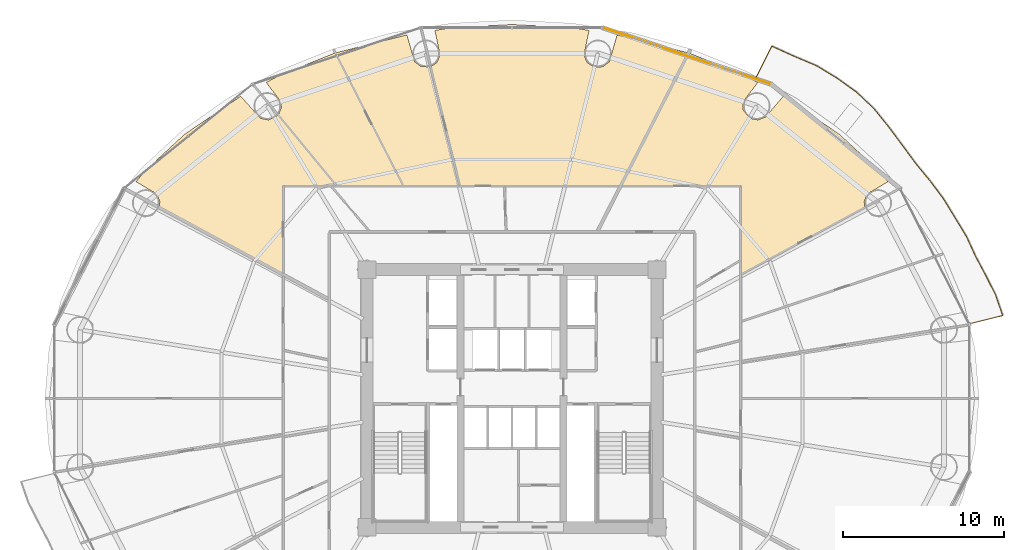
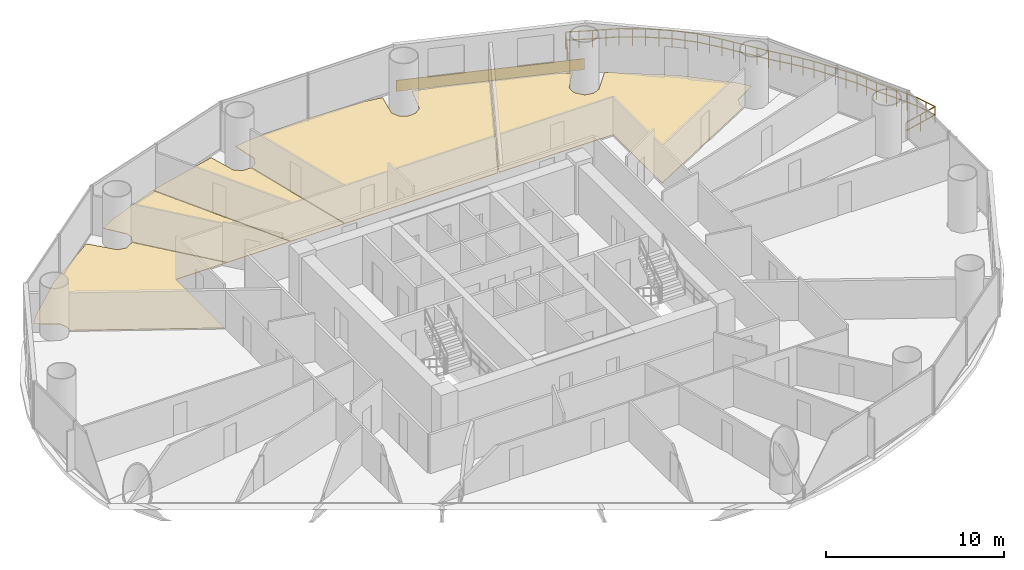
# One storey, part 29 of 29: 6 coverings, 1 railing.
"""IFC4 building model written with IfcOpenShell, lengths in metres."""

import ifcopenshell
import ifcopenshell.guid

model = None  # the IFC model being written
_history = None  # IfcOwnerHistory: only IFC2X3 demands one
_inside = {}  # id of a spatial element -> (the spatial element, [elements in it])
_under = {}  # id of a project, library or spatial element -> (it, [spatial elements below it])
_declared = {}  # id of a project -> (the project, [libraries it declares])
_typed = {}  # id of a type object -> (the type object, [elements of that type])
_made_of = {}  # id of a material, layer set ... -> (it, [elements and type objects made of it])


def new_model(schema):
    """Start an empty IFC model of exactly this schema.

    Asked for "IFC4X3", IfcOpenShell would pick the latest addendum, in which some entities
    have other attributes; the version numbers below select the first issue.
    IFC2X3 requires an IfcOwnerHistory on every rooted entity: one is made here for all.
    """
    global model, _history
    if schema == "IFC4X3":
        model = ifcopenshell.file(schema_version=(4, 3, 0, 0))
    else:
        model = ifcopenshell.file(schema=schema)
    _inside.clear()
    _under.clear()
    _declared.clear()
    _typed.clear()
    _made_of.clear()
    _history = None
    if model.schema == "IFC2X3":
        org = make("IfcOrganization", Name="unknown")
        user = make(
            "IfcPersonAndOrganization",
            ThePerson=make("IfcPerson", FamilyName="unknown"),
            TheOrganization=org,
        )
        app = make(
            "IfcApplication",
            ApplicationDeveloper=org,
            Version="unknown",
            ApplicationFullName="unknown",
            ApplicationIdentifier="unknown",
        )
        _history = make(
            "IfcOwnerHistory",
            OwningUser=user,
            OwningApplication=app,
            ChangeAction="ADDED",
            CreationDate=0,
        )
    return model


def make(cls, **values):
    """One entity of the class cls with the attributes given. An attribute that is None is left unset."""
    return model.create_entity(
        cls, **{name: value for name, value in values.items() if value is not None}
    )


def rooted(cls, **values):
    """An entity with a GlobalId (a new one), such as an element, a storey or a relation."""
    return make(cls, GlobalId=ifcopenshell.guid.new(), OwnerHistory=_history, **values)


def si_unit(unit_type, name, prefix=None):
    """IfcSIUnit, for example si_unit("LENGTHUNIT", "METRE", prefix="MILLI")."""
    return make("IfcSIUnit", UnitType=unit_type, Prefix=prefix, Name=name)


def assignment(units):
    """IfcUnitAssignment: the units of a project."""
    return None if units is None else make("IfcUnitAssignment", Units=units)


def point(xyz):
    """IfcCartesianPoint."""
    return None if xyz is None else make("IfcCartesianPoint", Coordinates=xyz)


def direction(xyz):
    """IfcDirection."""
    return None if xyz is None else make("IfcDirection", DirectionRatios=xyz)


def frame(location, z_axis=None, x_axis=None):
    """IfcAxis2Placement3D, a coordinate frame: its origin and axes. An axis left out is left unset."""
    return make(
        "IfcAxis2Placement3D",
        Location=point(location),
        Axis=direction(z_axis),
        RefDirection=direction(x_axis),
    )


def frame_2d(location, x_axis=None):
    """IfcAxis2Placement2D, a coordinate frame in the plane: its origin and x axis."""
    return make(
        "IfcAxis2Placement2D", Location=point(location), RefDirection=direction(x_axis)
    )


def origin():
    """The frame at (0, 0, 0) with its axes left unset."""
    return frame((0.0, 0.0, 0.0))


def origin_2d():
    """The frame at (0, 0) in the plane with its x axis left unset."""
    return frame_2d((0.0, 0.0))


def place(relative_to, where):
    """IfcLocalPlacement: puts the frame where relative to a parent placement (None: the world)."""
    return make(
        "IfcLocalPlacement", PlacementRelTo=relative_to, RelativePlacement=where
    )


def context(
    kind, dimensions, precision=None, world=None, true_north=None, identifier=None
):
    """IfcGeometricRepresentationContext, for example the 3D "Model" context."""
    return make(
        "IfcGeometricRepresentationContext",
        ContextIdentifier=identifier,
        ContextType=kind,
        CoordinateSpaceDimension=dimensions,
        Precision=precision,
        WorldCoordinateSystem=world,
        TrueNorth=true_north,
    )


def subcontext(parent, identifier, kind, view, scale=None):
    """IfcGeometricRepresentationSubContext, for example "Body" below "Model"."""
    return make(
        "IfcGeometricRepresentationSubContext",
        ContextIdentifier=identifier,
        ContextType=kind,
        ParentContext=parent,
        TargetScale=scale,
        TargetView=view,
    )


def project(units=None, contexts=None):
    """IfcProject with its units and contexts."""
    return rooted(
        "IfcProject",
        Name="project",
        RepresentationContexts=contexts,
        UnitsInContext=assignment(units),
    )


def spatial(cls, under=None, at=None, **own):
    """A site, building, storey or space (cls), placed at a placement, below another one or the project."""
    s = rooted(cls, ObjectPlacement=at, **own)
    if under is not None:
        _under.setdefault(under.id(), (under, []))[1].append(s)
    return s


def polyline(points):
    """IfcPolyline through the points."""
    return make("IfcPolyline", Points=[point(p) for p in points])


def profile(cls, at=None, kind="AREA", **sizes):
    """A parametric profile (cls). Its sizes go by their IFC names, for example OverallWidth=200.0."""
    return make(cls, ProfileType=kind, Position=at, **sizes)


def rectangle(**sizes):
    """IfcRectangleProfileDef."""
    return profile("IfcRectangleProfileDef", **sizes)


def outline(outer, holes=None, kind="AREA"):
    """IfcArbitraryClosedProfileDef: a profile drawn as a closed curve; with holes, ...WithVoids."""
    if holes is None:
        return make("IfcArbitraryClosedProfileDef", ProfileType=kind, OuterCurve=outer)
    return make(
        "IfcArbitraryProfileDefWithVoids",
        ProfileType=kind,
        OuterCurve=outer,
        InnerCurves=holes,
    )


def extrude(swept, where, along, depth):
    """IfcExtrudedAreaSolid: the profile swept, set in the frame where, extruded along a direction by depth."""
    return make(
        "IfcExtrudedAreaSolid",
        SweptArea=swept,
        Position=where,
        ExtrudedDirection=direction(along),
        Depth=depth,
    )


def shape(context_of_items, identifier, shape_type, items):
    """IfcShapeRepresentation: the items that make up one representation, for example the "Body"."""
    return make(
        "IfcShapeRepresentation",
        ContextOfItems=context_of_items,
        RepresentationIdentifier=identifier,
        RepresentationType=shape_type,
        Items=items,
    )


def source(mapping_origin, context_of_items, identifier, shape_type, items):
    """IfcRepresentationMap: a shape defined once, which mapped items show again and again."""
    return make(
        "IfcRepresentationMap",
        MappingOrigin=mapping_origin,
        MappedRepresentation=shape(context_of_items, identifier, shape_type, items),
    )


def transform(
    local_origin,
    x_axis=None,
    y_axis=None,
    z_axis=None,
    scale=None,
    scale2=None,
    scale3=None,
    uniform=True,
):
    """IfcCartesianTransformationOperator3D, or its non-uniform kind. x_axis, y_axis, z_axis: its Axis1, 2, 3."""
    if uniform:
        return make(
            "IfcCartesianTransformationOperator3D",
            Axis1=direction(x_axis),
            Axis2=direction(y_axis),
            LocalOrigin=point(local_origin),
            Scale=scale,
            Axis3=direction(z_axis),
        )
    return make(
        "IfcCartesianTransformationOperator3DnonUniform",
        Axis1=direction(x_axis),
        Axis2=direction(y_axis),
        LocalOrigin=point(local_origin),
        Scale=scale,
        Axis3=direction(z_axis),
        Scale2=scale2,
        Scale3=scale3,
    )


def mapped(mapping_source, mapping_target):
    """IfcMappedItem: shows the shape of a source again, moved by a transform."""
    return make(
        "IfcMappedItem", MappingSource=mapping_source, MappingTarget=mapping_target
    )


def material(Name=None, Category=None):
    """IfcMaterial."""
    return make("IfcMaterial", Name=Name, Category=Category)


def layer(
    of_material, thickness, ventilated=None, Name=None, Category=None, Priority=None
):
    """IfcMaterialLayer: one layer of a wall or slab, of a material (None: an air gap)."""
    return make(
        "IfcMaterialLayer",
        Material=of_material,
        LayerThickness=thickness,
        IsVentilated=ventilated,
        Name=Name,
        Category=Category,
        Priority=Priority,
    )


def layer_set(layers, Name=None):
    """IfcMaterialLayerSet."""
    return make("IfcMaterialLayerSet", MaterialLayers=layers, LayerSetName=Name)


def made_of(thing, what):
    """Note that an element or type object is made of a material, layer set ...; save() writes the relation."""
    if what is not None:
        _made_of.setdefault(what.id(), (what, []))[1].append(thing)
    return thing


def type_object(cls, material=None, **own):
    """A type object (cls), such as IfcWallType, which elements share."""
    return made_of(rooted(cls, **own), material)


def element(
    cls,
    number,
    at=None,
    inside=None,
    cuts=None,
    type_object=None,
    material=None,
    context=None,
    identifier="Body",
    shape_type=None,
    held_by="IfcProductDefinitionShape",
    body=None,
    shapes=None,
    **own,
):
    """One element of the class cls, such as IfcWall. Its Tag is "e" and its number.

    at: its placement. inside: the storey or other place that contains it. cuts: it is an
    opening in that element (IfcRelVoidsElement). A single representation is given by context,
    identifier, shape_type and body (its items); several are given by shapes. held_by: the class
    of the entity that holds the representations. save() writes the other relations.
    """
    e = rooted(cls, Tag="e%d" % number, ObjectPlacement=at, **own)
    if body is not None:
        shapes = [shape(context, identifier, shape_type, body)]
    if shapes is not None:
        e.Representation = make(held_by, Representations=shapes)
    if inside is not None:
        _inside.setdefault(inside.id(), (inside, []))[1].append(e)
    if cuts is not None:
        rooted(
            "IfcRelVoidsElement", RelatingBuildingElement=cuts, RelatedOpeningElement=e
        )
    if type_object is not None:
        _typed.setdefault(type_object.id(), (type_object, []))[1].append(e)
    return made_of(e, material)


def aggregate(whole, parts):
    """IfcRelAggregates: a whole, such as a stair, and the parts it consists of."""
    return rooted("IfcRelAggregates", RelatingObject=whole, RelatedObjects=parts)


def save(model, path):
    """Write the relations noted so far, then the file.

    IfcRelAggregates (storeys below a building ...), IfcRelContainedInSpatialStructure (elements
    in a storey), IfcRelDefinesByType, IfcRelAssociatesMaterial and IfcRelDeclares: one each for
    every whole, place, type object, material and project.
    """
    for whole, parts in _under.values():
        aggregate(whole, parts)
    for where, things in _inside.values():
        rooted(
            "IfcRelContainedInSpatialStructure",
            RelatedElements=things,
            RelatingStructure=where,
        )
    for kind, things in _typed.values():
        rooted("IfcRelDefinesByType", RelatedObjects=things, RelatingType=kind)
    for what, things in _made_of.values():
        rooted("IfcRelAssociatesMaterial", RelatedObjects=things, RelatingMaterial=what)
    for by, libraries in _declared.values():
        rooted("IfcRelDeclares", RelatingContext=by, RelatedDefinitions=libraries)
    model.write(path)


model = new_model("IFC4")

# Units and contexts
model_context = context("Model", 3, precision=1e-05, world=origin(), true_north=direction((-0.2419218956, 0.970295726276)))
body_context = subcontext(model_context, "Body", "Model", "MODEL_VIEW")
ifc_project = project(units=[si_unit("LENGTHUNIT", "METRE"), si_unit("AREAUNIT", "SQUARE_METRE"), si_unit("VOLUMEUNIT", "CUBIC_METRE"), si_unit("PLANEANGLEUNIT", "RADIAN"), si_unit("MASSUNIT", "GRAM", prefix="KILO")], contexts=[model_context])

# Site, building, storey
site_placement = place(None, origin())
site = spatial("IfcSite", under=ifc_project, at=site_placement, CompositionType="ELEMENT")
building_placement = place(site_placement, origin())
building = spatial("IfcBuilding", under=site, at=building_placement, Name="Cobrevalo Terracotta Tower", CompositionType="ELEMENT")
storey_placement = place(building_placement, frame((0.0, 0.0, 49.199951171875)))
storey = spatial("IfcBuildingStorey", under=building, at=storey_placement, Name="L12", CompositionType="ELEMENT", Elevation=49.199951171875)

# Railing
ifc_material_1 = material(Name="Laminated structural glass and stainless steel", Category="steel")
railing_type = type_object("IfcRailingType", Name="Balcony lobe structural glass & terracotta-cap balustrade 1180 mm", PredefinedType="BALUSTRADE", material=ifc_material_1)
railing_placement = place(storey_placement, frame((66.282470703125, 31.40380859375, 0.0)))
element("IfcRailing", 1, at=railing_placement, inside=storey, type_object=railing_type, Name="L12 spiralling balcony lobe balustrade 1", PredefinedType="BALUSTRADE", context=body_context, shape_type="SweptSolid", body=[
    extrude(rectangle(XDim=0.048095703125, YDim=0.048095703125, at=origin_2d()), frame((0.0, 0.0, 1.15576171875), z_axis=(0.970656645636, 0.240469699304, 0.0), x_axis=(-0.240469699304, 0.970656645636, 0.0)), (0.0, 0.0, 1.0), 2.2529296875),
    extrude(rectangle(XDim=0.048095703125, YDim=0.048095703125, at=origin_2d()), frame((0.0, 0.0, 0.58984375), z_axis=(0.970656645636, 0.240469699304, 0.0), x_axis=(-0.240469699304, 0.970656645636, 0.0)), (0.0, 0.0, 1.0), 2.2529296875),
    extrude(rectangle(XDim=0.048095703125, YDim=0.048095703125, at=origin_2d()), frame((2.186767578125, 0.541748046875, 1.15576171875), z_axis=(-0.326743713741, 0.9451129803, 0.0), x_axis=(-0.9451129803, -0.326743713741, 0.0)), (0.0, 0.0, 1.0), 1.3486328125),
    extrude(rectangle(XDim=0.048095703125, YDim=0.048095703125, at=origin_2d()), frame((2.186767578125, 0.541748046875, 0.58984375), z_axis=(-0.326743713741, 0.9451129803, 0.0), x_axis=(-0.9451129803, -0.326743713741, 0.0)), (0.0, 0.0, 1.0), 1.3486328125),
    extrude(rectangle(XDim=0.048095703125, YDim=0.048095703125, at=origin_2d()), frame((1.74609375, 1.81640625, 1.15576171875), z_axis=(-0.450009393164, 0.893023821667, 0.0), x_axis=(-0.893023821667, -0.450009393164, 0.0)), (0.0, 0.0, 1.0), 1.361083984375),
    extrude(rectangle(XDim=0.048095703125, YDim=0.048095703125, at=origin_2d()), frame((1.74609375, 1.81640625, 0.58984375), z_axis=(-0.450009393164, 0.893023821667, 0.0), x_axis=(-0.893023821667, -0.450009393164, 0.0)), (0.0, 0.0, 1.0), 1.361083984375),
    extrude(rectangle(XDim=0.048095703125, YDim=0.048095703125, at=origin_2d()), frame((1.133544921875, 3.031982421875, 1.15576171875), z_axis=(-0.47043842962, 0.882432821203, 0.0), x_axis=(-0.882432821203, -0.47043842962, 0.0)), (0.0, 0.0, 1.0), 1.353515625),
    extrude(rectangle(XDim=0.048095703125, YDim=0.048095703125, at=origin_2d()), frame((1.133544921875, 3.031982421875, 0.58984375), z_axis=(-0.47043842962, 0.882432821203, 0.0), x_axis=(-0.882432821203, -0.47043842962, 0.0)), (0.0, 0.0, 1.0), 1.353515625),
    extrude(rectangle(XDim=0.048095703125, YDim=0.048095703125, at=origin_2d()), frame((0.496826171875, 4.226318359375, 1.15576171875), z_axis=(-0.41757306652, 0.908643348139, 0.0), x_axis=(-0.908643348139, -0.41757306652, 0.0)), (0.0, 0.0, 1.0), 1.34521484375),
    extrude(rectangle(XDim=0.048095703125, YDim=0.048095703125, at=origin_2d()), frame((0.496826171875, 4.226318359375, 0.58984375), z_axis=(-0.41757306652, 0.908643348139, 0.0), x_axis=(-0.908643348139, -0.41757306652, 0.0)), (0.0, 0.0, 1.0), 1.34521484375),
    extrude(rectangle(XDim=0.048095703125, YDim=0.048095703125, at=origin_2d()), frame((-0.06494140625, 5.44873046875, 1.15576171875), z_axis=(-0.518008939835, 0.855375203201, 0.0), x_axis=(-0.855375203201, -0.518008939835, 0.0)), (0.0, 0.0, 1.0), 1.36767578125),
    extrude(rectangle(XDim=0.048095703125, YDim=0.048095703125, at=origin_2d()), frame((-0.06494140625, 5.44873046875, 0.58984375), z_axis=(-0.518008939835, 0.855375203201, 0.0), x_axis=(-0.855375203201, -0.518008939835, 0.0)), (0.0, 0.0, 1.0), 1.36767578125),
    extrude(rectangle(XDim=0.048095703125, YDim=0.048095703125, at=origin_2d()), frame((-0.7734375, 6.61865234375, 1.15576171875), z_axis=(-0.521891091627, 0.853012126808, 0.0), x_axis=(-0.853012126808, -0.521891091627, 0.0)), (0.0, 0.0, 1.0), 1.365478515625),
    extrude(rectangle(XDim=0.048095703125, YDim=0.048095703125, at=origin_2d()), frame((-0.7734375, 6.61865234375, 0.58984375), z_axis=(-0.521891091627, 0.853012126808, 0.0), x_axis=(-0.853012126808, -0.521891091627, 0.0)), (0.0, 0.0, 1.0), 1.365478515625),
    extrude(rectangle(XDim=0.048095703125, YDim=0.048095703125, at=origin_2d()), frame((-1.486083984375, 7.783447265625, 1.15576171875), z_axis=(-0.597539205314, 0.80183969602, 0.0), x_axis=(-0.80183969602, -0.597539205314, 0.0)), (0.0, 0.0, 1.0), 1.382568359375),
    extrude(rectangle(XDim=0.048095703125, YDim=0.048095703125, at=origin_2d()), frame((-1.486083984375, 7.783447265625, 0.58984375), z_axis=(-0.597539205314, 0.80183969602, 0.0), x_axis=(-0.80183969602, -0.597539205314, 0.0)), (0.0, 0.0, 1.0), 1.382568359375),
    extrude(rectangle(XDim=0.048095703125, YDim=0.048095703125, at=origin_2d()), frame((-2.312255859375, 8.89208984375, 1.15576171875), z_axis=(-0.636216311347, 0.771510729138, 0.0), x_axis=(-0.771510729138, -0.636216311347, 0.0)), (0.0, 0.0, 1.0), 1.394775390625),
    extrude(rectangle(XDim=0.048095703125, YDim=0.048095703125, at=origin_2d()), frame((-2.312255859375, 8.89208984375, 0.58984375), z_axis=(-0.636216311347, 0.771510729138, 0.0), x_axis=(-0.771510729138, -0.636216311347, 0.0)), (0.0, 0.0, 1.0), 1.394775390625),
    extrude(rectangle(XDim=0.048095703125, YDim=0.048095703125, at=origin_2d()), frame((-3.19970703125, 9.96826171875, 1.15576171875), z_axis=(-0.592463460956, 0.805597323377, 0.0), x_axis=(-0.805597323377, -0.592463460956, 0.0)), (0.0, 0.0, 1.0), 1.404296875),
    extrude(rectangle(XDim=0.048095703125, YDim=0.048095703125, at=origin_2d()), frame((-3.19970703125, 9.96826171875, 0.58984375), z_axis=(-0.592463460956, 0.805597323377, 0.0), x_axis=(-0.805597323377, -0.592463460956, 0.0)), (0.0, 0.0, 1.0), 1.404296875),
    extrude(rectangle(XDim=0.048095703125, YDim=0.048095703125, at=origin_2d()), frame((-4.03173828125, 11.099609375, 1.15576171875), z_axis=(-0.596772057795, 0.802410811888, 0.0), x_axis=(-0.802410811888, -0.596772057795, 0.0)), (0.0, 0.0, 1.0), 1.454345703125),
    extrude(rectangle(XDim=0.048095703125, YDim=0.048095703125, at=origin_2d()), frame((-4.03173828125, 11.099609375, 0.58984375), z_axis=(-0.596772057795, 0.802410811888, 0.0), x_axis=(-0.802410811888, -0.596772057795, 0.0)), (0.0, 0.0, 1.0), 1.454345703125),
    extrude(rectangle(XDim=0.048095703125, YDim=0.048095703125, at=origin_2d()), frame((-4.899658203125, 12.2666015625, 1.15576171875), z_axis=(-0.628561634058, 0.777759777946, 0.0), x_axis=(-0.777759777946, -0.628561634058, 0.0)), (0.0, 0.0, 1.0), 1.4677734375),
    extrude(rectangle(XDim=0.048095703125, YDim=0.048095703125, at=origin_2d()), frame((-4.899658203125, 12.2666015625, 0.58984375), z_axis=(-0.628561634058, 0.777759777946, 0.0), x_axis=(-0.777759777946, -0.628561634058, 0.0)), (0.0, 0.0, 1.0), 1.4677734375),
    extrude(rectangle(XDim=0.048095703125, YDim=0.048095703125, at=origin_2d()), frame((-5.822265625, 13.408203125, 1.15576171875), z_axis=(-0.727393652509, 0.686220426896, 0.0), x_axis=(-0.686220426896, -0.727393652509, 0.0)), (0.0, 0.0, 1.0), 1.4765625),
    extrude(rectangle(XDim=0.048095703125, YDim=0.048095703125, at=origin_2d()), frame((-5.822265625, 13.408203125, 0.58984375), z_axis=(-0.727393652509, 0.686220426896, 0.0), x_axis=(-0.686220426896, -0.727393652509, 0.0)), (0.0, 0.0, 1.0), 1.4765625),
    extrude(rectangle(XDim=0.048095703125, YDim=0.048095703125, at=origin_2d()), frame((-6.896240234375, 14.42138671875, 1.15576171875), z_axis=(-0.813157984021, 0.582043033651, 0.0), x_axis=(-0.582043033651, -0.813157984021, 0.0)), (0.0, 0.0, 1.0), 1.49169921875),
    extrude(rectangle(XDim=0.048095703125, YDim=0.048095703125, at=origin_2d()), frame((-6.896240234375, 14.42138671875, 0.58984375), z_axis=(-0.813157984021, 0.582043033651, 0.0), x_axis=(-0.582043033651, -0.813157984021, 0.0)), (0.0, 0.0, 1.0), 1.49169921875),
    extrude(rectangle(XDim=0.048095703125, YDim=0.048095703125, at=origin_2d()), frame((-8.109130859375, 15.28955078125, 1.15576171875), z_axis=(-0.854844744137, 0.518883863134, 0.0), x_axis=(-0.518883863134, -0.854844744137, 0.0)), (0.0, 0.0, 1.0), 1.48681640625),
    extrude(rectangle(XDim=0.048095703125, YDim=0.048095703125, at=origin_2d()), frame((-8.109130859375, 15.28955078125, 0.58984375), z_axis=(-0.854844744137, 0.518883863134, 0.0), x_axis=(-0.518883863134, -0.854844744137, 0.0)), (0.0, 0.0, 1.0), 1.48681640625),
    extrude(rectangle(XDim=0.048095703125, YDim=0.048095703125, at=origin_2d()), frame((-9.380126953125, 16.06103515625, 1.15576171875), z_axis=(-0.921683569002, 0.387942519753, 0.0), x_axis=(-0.387942519753, -0.921683569002, 0.0)), (0.0, 0.0, 1.0), 1.525390625),
    extrude(rectangle(XDim=0.048095703125, YDim=0.048095703125, at=origin_2d()), frame((-9.380126953125, 16.06103515625, 0.58984375), z_axis=(-0.921683569002, 0.387942519753, 0.0), x_axis=(-0.387942519753, -0.921683569002, 0.0)), (0.0, 0.0, 1.0), 1.525390625),
    extrude(rectangle(XDim=0.048095703125, YDim=0.048095703125, at=origin_2d()), frame((-10.7861328125, 16.65283203125, 1.15576171875), z_axis=(-0.910277705224, 0.413998187643, 0.0), x_axis=(-0.413998187643, -0.910277705224, 0.0)), (0.0, 0.0, 1.0), 1.50732421875),
    extrude(rectangle(XDim=0.048095703125, YDim=0.048095703125, at=origin_2d()), frame((-10.7861328125, 16.65283203125, 0.58984375), z_axis=(-0.910277705224, 0.413998187643, 0.0), x_axis=(-0.413998187643, -0.910277705224, 0.0)), (0.0, 0.0, 1.0), 1.50732421875),
    extrude(rectangle(XDim=0.048095703125, YDim=0.048095703125, at=origin_2d()), frame((-12.158203125, 17.27685546875, 1.15576171875), z_axis=(-0.4472135955, -0.894427191, 0.0), x_axis=(0.894427191, -0.4472135955, 0.0)), (0.0, 0.0, 1.0), 2.208251953125),
    extrude(rectangle(XDim=0.048095703125, YDim=0.048095703125, at=origin_2d()), frame((-12.158203125, 17.27685546875, 0.58984375), z_axis=(-0.4472135955, -0.894427191, 0.0), x_axis=(0.894427191, -0.4472135955, 0.0)), (0.0, 0.0, 1.0), 2.208251953125),
    extrude(rectangle(XDim=0.0419921875, YDim=0.0419921875, at=origin_2d()), origin(), (0.0, 0.0, 1.0), 1.1318359375),
    extrude(rectangle(XDim=0.0419921875, YDim=0.0419921875, at=origin_2d()), frame((1.09326171875, 0.27099609375, 0.0)), (0.0, 0.0, 1.0), 1.1318359375),
    extrude(rectangle(XDim=0.0419921875, YDim=0.0419921875, at=origin_2d()), frame((2.186767578125, 0.541748046875, 0.0)), (0.0, 0.0, 1.0), 1.1318359375),
    extrude(rectangle(XDim=0.0419921875, YDim=0.0419921875, at=origin_2d()), frame((1.96630859375, 1.17919921875, 0.0)), (0.0, 0.0, 1.0), 1.1318359375),
    extrude(rectangle(XDim=0.0419921875, YDim=0.0419921875, at=origin_2d()), frame((1.74609375, 1.81640625, 0.0)), (0.0, 0.0, 1.0), 1.1318359375),
    extrude(rectangle(XDim=0.0419921875, YDim=0.0419921875, at=origin_2d()), frame((1.43994140625, 2.42431640625, 0.0)), (0.0, 0.0, 1.0), 1.1318359375),
    extrude(rectangle(XDim=0.0419921875, YDim=0.0419921875, at=origin_2d()), frame((1.133544921875, 3.031982421875, 0.0)), (0.0, 0.0, 1.0), 1.1318359375),
    extrude(rectangle(XDim=0.0419921875, YDim=0.0419921875, at=origin_2d()), frame((0.815185546875, 3.629150390625, 0.0)), (0.0, 0.0, 1.0), 1.1318359375),
    extrude(rectangle(XDim=0.0419921875, YDim=0.0419921875, at=origin_2d()), frame((0.496826171875, 4.226318359375, 0.0)), (0.0, 0.0, 1.0), 1.1318359375),
    extrude(rectangle(XDim=0.0419921875, YDim=0.0419921875, at=origin_2d()), frame((0.2158203125, 4.83740234375, 0.0)), (0.0, 0.0, 1.0), 1.1318359375),
    extrude(rectangle(XDim=0.0419921875, YDim=0.0419921875, at=origin_2d()), frame((-0.06494140625, 5.44873046875, 0.0)), (0.0, 0.0, 1.0), 1.1318359375),
    extrude(rectangle(XDim=0.0419921875, YDim=0.0419921875, at=origin_2d()), frame((-0.419189453125, 6.03369140625, 0.0)), (0.0, 0.0, 1.0), 1.1318359375),
    extrude(rectangle(XDim=0.0419921875, YDim=0.0419921875, at=origin_2d()), frame((-0.7734375, 6.61865234375, 0.0)), (0.0, 0.0, 1.0), 1.1318359375),
    extrude(rectangle(XDim=0.0419921875, YDim=0.0419921875, at=origin_2d()), frame((-1.1298828125, 7.201171875, 0.0)), (0.0, 0.0, 1.0), 1.1318359375),
    extrude(rectangle(XDim=0.0419921875, YDim=0.0419921875, at=origin_2d()), frame((-1.486083984375, 7.783447265625, 0.0)), (0.0, 0.0, 1.0), 1.1318359375),
    extrude(rectangle(XDim=0.0419921875, YDim=0.0419921875, at=origin_2d()), frame((-1.899169921875, 8.337890625, 0.0)), (0.0, 0.0, 1.0), 1.1318359375),
    extrude(rectangle(XDim=0.0419921875, YDim=0.0419921875, at=origin_2d()), frame((-2.312255859375, 8.89208984375, 0.0)), (0.0, 0.0, 1.0), 1.1318359375),
    extrude(rectangle(XDim=0.0419921875, YDim=0.0419921875, at=origin_2d()), frame((-2.755859375, 9.43017578125, 0.0)), (0.0, 0.0, 1.0), 1.1318359375),
    extrude(rectangle(XDim=0.0419921875, YDim=0.0419921875, at=origin_2d()), frame((-3.19970703125, 9.96826171875, 0.0)), (0.0, 0.0, 1.0), 1.1318359375),
    extrude(rectangle(XDim=0.0419921875, YDim=0.0419921875, at=origin_2d()), frame((-3.61572265625, 10.533935546875, 0.0)), (0.0, 0.0, 1.0), 1.1318359375),
    extrude(rectangle(XDim=0.0419921875, YDim=0.0419921875, at=origin_2d()), frame((-4.03173828125, 11.099609375, 0.0)), (0.0, 0.0, 1.0), 1.1318359375),
    extrude(rectangle(XDim=0.0419921875, YDim=0.0419921875, at=origin_2d()), frame((-4.4658203125, 11.68310546875, 0.0)), (0.0, 0.0, 1.0), 1.1318359375),
    extrude(rectangle(XDim=0.0419921875, YDim=0.0419921875, at=origin_2d()), frame((-4.899658203125, 12.2666015625, 0.0)), (0.0, 0.0, 1.0), 1.1318359375),
    extrude(rectangle(XDim=0.0419921875, YDim=0.0419921875, at=origin_2d()), frame((-5.36083984375, 12.83740234375, 0.0)), (0.0, 0.0, 1.0), 1.1318359375),
    extrude(rectangle(XDim=0.0419921875, YDim=0.0419921875, at=origin_2d()), frame((-5.822265625, 13.408203125, 0.0)), (0.0, 0.0, 1.0), 1.1318359375),
    extrude(rectangle(XDim=0.0419921875, YDim=0.0419921875, at=origin_2d()), frame((-6.359375, 13.914794921875, 0.0)), (0.0, 0.0, 1.0), 1.1318359375),
    extrude(rectangle(XDim=0.0419921875, YDim=0.0419921875, at=origin_2d()), frame((-6.896240234375, 14.42138671875, 0.0)), (0.0, 0.0, 1.0), 1.1318359375),
    extrude(rectangle(XDim=0.0419921875, YDim=0.0419921875, at=origin_2d()), frame((-7.502685546875, 14.85546875, 0.0)), (0.0, 0.0, 1.0), 1.1318359375),
    extrude(rectangle(XDim=0.0419921875, YDim=0.0419921875, at=origin_2d()), frame((-8.109130859375, 15.28955078125, 0.0)), (0.0, 0.0, 1.0), 1.1318359375),
    extrude(rectangle(XDim=0.0419921875, YDim=0.0419921875, at=origin_2d()), frame((-8.74462890625, 15.67529296875, 0.0)), (0.0, 0.0, 1.0), 1.1318359375),
    extrude(rectangle(XDim=0.0419921875, YDim=0.0419921875, at=origin_2d()), frame((-9.380126953125, 16.06103515625, 0.0)), (0.0, 0.0, 1.0), 1.1318359375),
    extrude(rectangle(XDim=0.0419921875, YDim=0.0419921875, at=origin_2d()), frame((-10.0830078125, 16.35693359375, 0.0)), (0.0, 0.0, 1.0), 1.1318359375),
    extrude(rectangle(XDim=0.0419921875, YDim=0.0419921875, at=origin_2d()), frame((-10.7861328125, 16.65283203125, 0.0)), (0.0, 0.0, 1.0), 1.1318359375),
    extrude(rectangle(XDim=0.0419921875, YDim=0.0419921875, at=origin_2d()), frame((-11.47216796875, 16.96484375, 0.0)), (0.0, 0.0, 1.0), 1.1318359375),
    extrude(rectangle(XDim=0.0419921875, YDim=0.0419921875, at=origin_2d()), frame((-12.158203125, 17.27685546875, 0.0)), (0.0, 0.0, 1.0), 1.1318359375),
    extrude(rectangle(XDim=0.0419921875, YDim=0.0419921875, at=origin_2d()), frame((-12.65185546875, 16.289306640625, 0.0)), (0.0, 0.0, 1.0), 1.1318359375),
    extrude(rectangle(XDim=0.0419921875, YDim=0.0419921875, at=origin_2d()), frame((-13.145751953125, 15.3017578125, 0.0)), (0.0, 0.0, 1.0), 1.1318359375),
])

# Coverings
ifc_material_2 = material(Name="Engineered Brazilian hardwood flooring", Category="wood")
ifc_layer_1 = layer(ifc_material_2, 0.028076171875)
ifc_layer_set_1 = layer_set([ifc_layer_1], Name="Engineered Brazilian hardwood flooring")
covering_type_1 = type_object("IfcCoveringType", Name="Engineered Hardwood Suite Flooring 28", PredefinedType="FLOORING", material=ifc_layer_set_1)
covering_1_placement = place(storey_placement, origin())
element("IfcCovering", 2, at=covering_1_placement, inside=storey, type_object=covering_type_1, Name="Flat L12A Penthouse Family Lounge floor finish", PredefinedType="FLOORING", context=body_context, shape_type="SweptSolid", body=[
    extrude(outline(polyline([(44.77734375, 40.014892578125), (48.9873046875, 48.251220703125), (52.361572265625, 46.908203125), (53.26318359375, 46.421142578125), (52.35498046875, 45.23095703125), (52.350341796875, 44.719970703125), (52.772705078125, 44.1953125), (53.27294921875, 44.091064453125), (53.746826171875, 44.2822265625), (54.843505859375, 45.567138671875), (58.3095703125, 43.217529296875), (60.786376953125, 40.933837890625), (61.34423828125, 40.2587890625), (60.060791015625, 39.497802734375), (59.864990234375, 39.02587890625), (59.90234375, 38.681884765625), (52.215087890625, 34.51953125), (52.215087890625, 40.014892578125), (44.77734375, 40.014892578125)])), origin(), (0.0, 0.0, 1.0), 0.030029296875),
])
covering_2_placement = place(storey_placement, origin())
element("IfcCovering", 3, at=covering_2_placement, inside=storey, type_object=covering_type_1, Name="Flat L12B Penthouse Living and Dining Room floor finish", PredefinedType="FLOORING", context=body_context, shape_type="SweptSolid", body=[
    extrude(outline(polyline([(38.0, 50.02001953125), (41.749267578125, 49.8212890625), (42.78369140625, 49.65478515625), (42.46533203125, 48.099853515625), (42.6845703125, 47.63818359375), (43.123046875, 47.376220703125), (43.63330078125, 47.40185546875), (44.04345703125, 47.706787109375), (44.527587890625, 49.37451171875), (48.948974609375, 48.263671875), (44.732421875, 40.014892578125), (34.77685546875, 40.014892578125), (32.96240234375, 47.406494140625), (33.3154296875, 47.63818359375), (33.53466796875, 48.099853515625), (33.21630859375, 49.65478515625), (34.250732421875, 49.8212890625), (38.0, 50.02001953125)])), origin(), (0.0, 0.0, 1.0), 0.030029296875),
])
covering_3_placement = place(storey_placement, origin())
element("IfcCovering", 4, at=covering_3_placement, inside=storey, type_object=covering_type_1, Name="Flat L12B Master Bedroom floor finish", PredefinedType="FLOORING", context=body_context, shape_type="SweptSolid", body=[
    extrude(outline(polyline([(31.472412109375, 49.37451171875), (31.95654296875, 47.706787109375), (32.36669921875, 47.40185546875), (32.924560546875, 47.39306640625), (34.735595703125, 40.014892578125), (31.267578125, 40.014892578125), (27.051025390625, 48.263671875), (31.472412109375, 49.37451171875)])), origin(), (0.0, 0.0, 1.0), 0.030029296875),
])
covering_4_placement = place(storey_placement, origin())
element("IfcCovering", 5, at=covering_4_placement, inside=storey, type_object=covering_type_1, Name="Flat L12B Principal Guest Bedroom floor finish", PredefinedType="FLOORING", context=body_context, shape_type="SweptSolid", body=[
    extrude(outline(polyline([(23.4951171875, 44.42236328125), (23.681884765625, 44.889404296875), (23.64501953125, 45.23095703125), (22.73681640625, 46.421142578125), (23.638427734375, 46.908203125), (27.0126953125, 48.251220703125), (31.22265625, 40.014892578125), (27.12939453125, 40.014892578125), (23.4951171875, 44.42236328125)])), origin(), (0.0, 0.0, 1.0), 0.030029296875),
])
covering_5_placement = place(storey_placement, origin())
element("IfcCovering", 6, at=covering_5_placement, inside=storey, type_object=covering_type_1, Name="Flat L12B Penthouse Family Lounge floor finish", PredefinedType="FLOORING", context=body_context, shape_type="SweptSolid", body=[
    extrude(outline(polyline([(21.156494140625, 45.567138671875), (22.3974609375, 44.1875), (22.899658203125, 44.092529296875), (23.468017578125, 44.392578125), (27.077392578125, 40.014892578125), (23.784912109375, 40.014892578125), (23.784912109375, 34.51953125), (16.09765625, 38.681884765625), (16.135009765625, 39.02587890625), (15.939208984375, 39.497802734375), (14.65576171875, 40.2587890625), (15.213623046875, 40.933837890625), (17.6904296875, 43.217529296875), (21.156494140625, 45.567138671875)])), origin(), (0.0, 0.0, 1.0), 0.030029296875),
])
ifc_material_3 = material(Name="Glazed terracotta facade cladding tile", Category="masonry")
ifc_layer_2 = layer(ifc_material_3, 0.044921875)
ifc_layer_set_2 = layer_set([ifc_layer_2], Name="Glazed terracotta facade cladding tile")
covering_type_2 = type_object("IfcCoveringType", Name="Architectural terracotta rainscreen spandrel cladding 45 mm", PredefinedType="CLADDING", material=ifc_layer_set_2)
shared_shape = source(origin(), body_context, "Body", "SweptSolid", [
    extrude(rectangle(XDim=10.8154296875, YDim=0.044921875, at=origin_2d()), origin(), (0.0, 0.0, 1.0), 0.760009765625),
])
covering_6_placement = place(storey_placement, frame((48.873291015625, 48.06689453125, 0.0400390625), z_axis=(0.0, 0.0, 1.0), x_axis=(-0.948044172593, 0.318138722592, 0.0)))
element("IfcCovering", 7, at=covering_6_placement, inside=storey, type_object=covering_type_2, Name="L12 terracotta spandrel cladding S03", PredefinedType="CLADDING", context=body_context, shape_type="MappedRepresentation", body=[
    mapped(shared_shape, transform((0.0, 0.0, 0.0), scale=1.0)),
])

save(model, "model.ifc")
